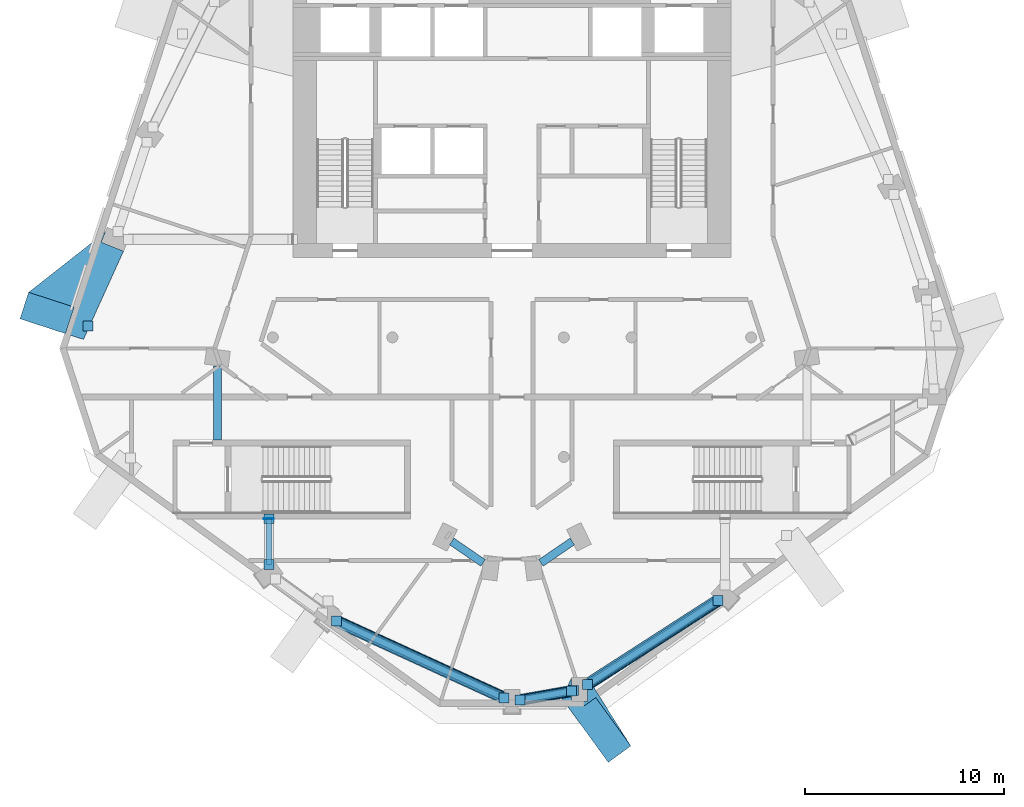
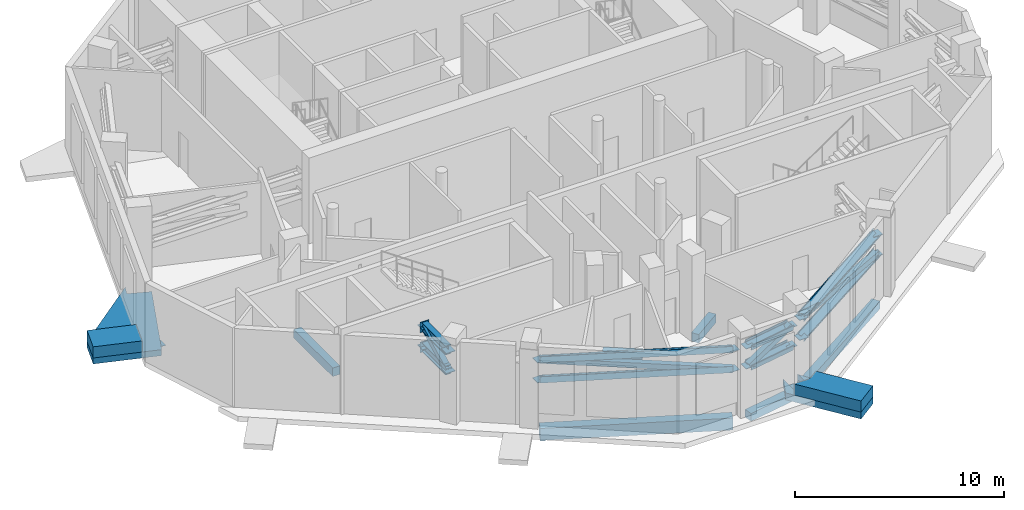
# One storey, part 2 of 15: 20 discrete accessories, 16 members, 6 beams.
"""IFC4 building model written with IfcOpenShell, lengths in metres."""

from ifc_helpers import new_model, si_unit, direction, frame, origin, origin_2d, place, context, subcontext, project, spatial, polyline, rectangle, hollow_rectangle, i_section, outline, extrude, material, layer, layer_set, material_profile, profile_set, type_object, element, aggregate, save


model = new_model("IFC4")

# Units and contexts
model_context = context("Model", 3, precision=1e-05, world=origin(), true_north=direction((0.0, 1.0)))
body_context = subcontext(model_context, "Body", "Model", "MODEL_VIEW")
ifc_project = project(units=[si_unit("LENGTHUNIT", "METRE"), si_unit("AREAUNIT", "SQUARE_METRE"), si_unit("VOLUMEUNIT", "CUBIC_METRE"), si_unit("PLANEANGLEUNIT", "RADIAN"), si_unit("MASSUNIT", "GRAM", prefix="KILO")], contexts=[model_context])

# Site, building, storey
site_placement = place(None, origin())
site = spatial("IfcSite", under=ifc_project, at=site_placement, CompositionType="ELEMENT")
building_placement = place(site_placement, origin())
building = spatial("IfcBuilding", under=site, at=building_placement, Name="White Candle Pilgrim Tower", CompositionType="ELEMENT")
storey_placement = place(building_placement, frame((0.0, 0.0, 295.10009765625)))
storey = spatial("IfcBuildingStorey", under=building, at=storey_placement, Name="L70", CompositionType="ELEMENT", Elevation=295.10009765625)

# Member
ifc_material_1 = material(Name="Steel S355", Category="steel")
ifc_material_profile_1 = material_profile(ifc_material_1, i_section(OverallWidth=0.305908203125, OverallDepth=0.52392578125, WebThickness=0.02099609375, FlangeThickness=0.0400390625, FilletRadius=0.027099609375, at=origin_2d()), Name="HEM 500")
ifc_profile_set_1 = profile_set([ifc_material_profile_1], Name="Steel S355")
member_type_1 = type_object("IfcMemberType", Name="Belt truss chord HEM 500 S355", PredefinedType="CHORD", material=ifc_profile_set_1)
member_1_placement = place(storey_placement, frame((61.186767578125, 52.767578125, 2.411865234375), z_axis=(0.90913101106, -0.416510269656, 0.0), x_axis=(0.173474167954, 0.378647916256, 0.909138311022)))
member_1 = element("IfcMember", 1, at=member_1_placement, inside=storey, type_object=member_type_1, Name="L70 belt truss bottom chord 02", PredefinedType="CHORD", context=body_context, shape_type="SweptSolid", body=[
    extrude(i_section(OverallWidth=0.305908203125, OverallDepth=0.52392578125, WebThickness=0.02099609375, FlangeThickness=0.0400390625, FilletRadius=0.027099609375, at=origin_2d()), origin(), (0.0, 0.0, 1.0), 9.254150390625),
])

member_2_placement = place(storey_placement, frame((61.186767578125, 52.767578125, 3.577880859375), z_axis=(0.90913101106, -0.416510269656, 0.0), x_axis=(0.173474167954, 0.378647916256, 0.909138311022)))
member_2 = element("IfcMember", 2, at=member_2_placement, inside=storey, type_object=member_type_1, Name="L70 belt truss top chord 02", PredefinedType="CHORD", context=body_context, shape_type="SweptSolid", body=[
    extrude(i_section(OverallWidth=0.305908203125, OverallDepth=0.52392578125, WebThickness=0.02099609375, FlangeThickness=0.0400390625, FilletRadius=0.027099609375, at=origin_2d()), origin(), (0.0, 0.0, 1.0), 9.254150390625),
])

member_3_placement = place(storey_placement, frame((70.39990234375, 48.80078125, 2.411865234375), z_axis=(0.984690914207, 0.174309504843, 0.0), x_axis=(0.030378628468, -0.171611751552, 0.984696169212)))
member_3 = element("IfcMember", 3, at=member_3_placement, inside=storey, type_object=member_type_1, Name="L70 belt truss bottom chord 03", PredefinedType="CHORD", context=body_context, shape_type="SweptSolid", body=[
    extrude(i_section(OverallWidth=0.305908203125, OverallDepth=0.52392578125, WebThickness=0.02099609375, FlangeThickness=0.0400390625, FilletRadius=0.027099609375, at=origin_2d()), origin(), (0.0, 0.0, 1.0), 2.63037109375),
])

member_4_placement = place(storey_placement, frame((70.39990234375, 48.80078125, 3.577880859375), z_axis=(0.984690914207, 0.174309504843, 0.0), x_axis=(0.030378628468, -0.171611751552, 0.984696169212)))
member_4 = element("IfcMember", 4, at=member_4_placement, inside=storey, type_object=member_type_1, Name="L70 belt truss top chord 03", PredefinedType="CHORD", context=body_context, shape_type="SweptSolid", body=[
    extrude(i_section(OverallWidth=0.305908203125, OverallDepth=0.52392578125, WebThickness=0.02099609375, FlangeThickness=0.0400390625, FilletRadius=0.027099609375, at=origin_2d()), origin(), (0.0, 0.0, 1.0), 2.63037109375),
])

member_5_placement = place(storey_placement, frame((73.7900390625, 49.58740234375, 2.411865234375), z_axis=(0.840792523654, 0.541357490175, 0.0), x_axis=(0.293060462739, -0.455157729451, 0.84080140729)))
member_5 = element("IfcMember", 5, at=member_5_placement, inside=storey, type_object=member_type_1, Name="L70 belt truss bottom chord 04", PredefinedType="CHORD", context=body_context, shape_type="SweptSolid", body=[
    extrude(i_section(OverallWidth=0.305908203125, OverallDepth=0.52392578125, WebThickness=0.02099609375, FlangeThickness=0.0400390625, FilletRadius=0.027099609375, at=origin_2d()), origin(), (0.0, 0.0, 1.0), 7.793701171875),
])

member_6_placement = place(storey_placement, frame((73.7900390625, 49.58740234375, 3.577880859375), z_axis=(0.840792523654, 0.541357490175, 0.0), x_axis=(0.293060462739, -0.455157729451, 0.84080140729)))
member_6 = element("IfcMember", 6, at=member_6_placement, inside=storey, type_object=member_type_1, Name="L70 belt truss top chord 04", PredefinedType="CHORD", context=body_context, shape_type="SweptSolid", body=[
    extrude(i_section(OverallWidth=0.305908203125, OverallDepth=0.52392578125, WebThickness=0.02099609375, FlangeThickness=0.0400390625, FilletRadius=0.027099609375, at=origin_2d()), origin(), (0.0, 0.0, 1.0), 7.793701171875),
])

member_7_placement = place(storey_placement, frame((57.800048828125, 55.61474609375, 2.411865234375), z_axis=(0.0, 1.0, 0.0), x_axis=(1.0, 0.0, 0.0)))
member_7 = element("IfcMember", 7, at=member_7_placement, inside=storey, type_object=member_type_1, Name="L70 belt truss bottom chord 15", PredefinedType="CHORD", context=body_context, shape_type="SweptSolid", body=[
    extrude(i_section(OverallWidth=0.305908203125, OverallDepth=0.52392578125, WebThickness=0.02099609375, FlangeThickness=0.0400390625, FilletRadius=0.027099609375, at=origin_2d()), origin(), (0.0, 0.0, 1.0), 2.28515625),
])

member_8_placement = place(storey_placement, frame((57.800048828125, 55.61474609375, 3.577880859375), z_axis=(0.0, 1.0, 0.0), x_axis=(1.0, 0.0, 0.0)))
member_8 = element("IfcMember", 8, at=member_8_placement, inside=storey, type_object=member_type_1, Name="L70 belt truss top chord 15", PredefinedType="CHORD", context=body_context, shape_type="SweptSolid", body=[
    extrude(i_section(OverallWidth=0.305908203125, OverallDepth=0.52392578125, WebThickness=0.02099609375, FlangeThickness=0.0400390625, FilletRadius=0.027099609375, at=origin_2d()), origin(), (0.0, 0.0, 1.0), 2.28515625),
])

# Members
ifc_material_profile_2 = material_profile(ifc_material_1, hollow_rectangle(XDim=0.300048828125, YDim=0.300048828125, WallThickness=0.01611328125, at=origin_2d()), Name="SHS 300x300x16")
ifc_profile_set_2 = profile_set([ifc_material_profile_2], Name="Steel S355")
member_type_2 = type_object("IfcMemberType", Name="Belt truss diagonal SHS 300x300x16 S355", PredefinedType="BRACE", material=ifc_profile_set_2)
member_9_placement = place(storey_placement, frame((61.186767578125, 52.767578125, 3.577880859375), z_axis=(0.901999384528, -0.413242978525, -0.125009403688), x_axis=(0.416510269656, 0.90913101106, 0.0)))
element("IfcMember", 9, at=member_9_placement, inside=storey, type_object=member_type_2, Name="L70 belt truss diagonal 02", PredefinedType="BRACE", context=body_context, shape_type="SweptSolid", body=[
    extrude(hollow_rectangle(XDim=0.300048828125, YDim=0.300048828125, WallThickness=0.01611328125, at=origin_2d()), origin(), (0.0, 0.0, 1.0), 9.327392578125),
])
member_10_placement = place(storey_placement, frame((70.39990234375, 48.80078125, 2.411865234375), z_axis=(0.900206572863, 0.159354127989, 0.40525842134), x_axis=(-0.174309504843, 0.984690914207, 0.0)))
element("IfcMember", 10, at=member_10_placement, inside=storey, type_object=member_type_2, Name="L70 belt truss diagonal 03", PredefinedType="BRACE", context=body_context, shape_type="SweptSolid", body=[
    extrude(hollow_rectangle(XDim=0.300048828125, YDim=0.300048828125, WallThickness=0.01611328125, at=origin_2d()), origin(), (0.0, 0.0, 1.0), 2.877197265625),
])
member_11_placement = place(storey_placement, frame((73.7900390625, 49.58740234375, 3.577880859375), z_axis=(0.831538063936, 0.535398860733, -0.147961171095), x_axis=(-0.541357490175, 0.840792523654, 0.0)))
element("IfcMember", 11, at=member_11_placement, inside=storey, type_object=member_type_2, Name="L70 belt truss diagonal 04", PredefinedType="BRACE", context=body_context, shape_type="SweptSolid", body=[
    extrude(hollow_rectangle(XDim=0.300048828125, YDim=0.300048828125, WallThickness=0.01611328125, at=origin_2d()), origin(), (0.0, 0.0, 1.0), 7.880615234375),
])
member_12_placement = place(storey_placement, frame((57.800048828125, 55.61474609375, 2.411865234375), z_axis=(0.0, 0.890742999505, 0.454507325389), x_axis=(-1.0, 0.0, 0.0)))
element("IfcMember", 12, at=member_12_placement, inside=storey, type_object=member_type_2, Name="L70 belt truss diagonal 15", PredefinedType="BRACE", context=body_context, shape_type="SweptSolid", body=[
    extrude(hollow_rectangle(XDim=0.300048828125, YDim=0.300048828125, WallThickness=0.01611328125, at=origin_2d()), origin(), (0.0, 0.0, 1.0), 2.5654296875),
])

# Member
ifc_material_2 = material(Name="Concrete C70/85, white", Category="concrete")
ifc_layer_1 = layer(ifc_material_2, 0.300048828125)
ifc_layer_set_1 = layer_set([ifc_layer_1], Name="Node tie strut 3350x1400x300 C70/85")
member_type_3 = type_object("IfcMemberType", Name="Node tie strut 3350x1400x300 C70/85", PredefinedType="STRUT", material=ifc_layer_set_1)
member_13_placement = place(storey_placement, frame((0.0, 0.0, -0.35009765625)))
member_13 = element("IfcMember", 13, at=member_13_placement, inside=storey, type_object=member_type_3, Name="Node tie strut NC248", PredefinedType="STRUT", context=body_context, shape_type="SweptSolid", body=[
    extrude(outline(polyline([(48.5009765625, 66.895263671875), (50.509521484375, 71.326416015625), (49.39453125, 71.770263671875), (49.598388671875, 72.282470703125), (45.74755859375, 69.26171875), (45.31494140625, 67.930419921875), (48.5009765625, 66.895263671875)])), origin(), (0.0, 0.0, 1.0), 0.35009765625),
])

member_14_placement = place(storey_placement, origin())
element("IfcMember", 14, at=member_14_placement, inside=storey, type_object=member_type_3, Name="Node tie strut NC248", PredefinedType="STRUT", context=body_context, shape_type="SweptSolid", body=[
    extrude(outline(polyline([(47.597412109375, 67.188720703125), (48.0302734375, 68.520263671875), (45.74755859375, 69.26171875), (45.31494140625, 67.930419921875), (47.597412109375, 67.188720703125)])), origin(), (0.0, 0.0, 1.0), 0.64990234375),
])

ifc_layer_2 = layer(ifc_material_2, 0.300048828125)
ifc_layer_set_2 = layer_set([ifc_layer_2], Name="Node tie strut 3950x1400x300 C70/85")
member_type_4 = type_object("IfcMemberType", Name="Node tie strut 3950x1400x300 C70/85", PredefinedType="STRUT", material=ifc_layer_set_2)
member_15_placement = place(storey_placement, frame((0.0, 0.0, -0.400146484375)))
member_15 = element("IfcMember", 15, at=member_15_placement, inside=storey, type_object=member_type_4, Name="Node tie strut NC243", PredefinedType="STRUT", context=body_context, shape_type="SweptSolid", body=[
    extrude(outline(polyline([(74.830078125, 45.67822265625), (75.962890625, 46.501220703125), (73.7900390625, 49.929931640625), (73.7900390625, 48.72998046875), (72.989990234375, 48.72998046875), (72.989990234375, 49.929931640625), (72.50830078125, 48.873779296875), (74.830078125, 45.67822265625)])), origin(), (0.0, 0.0, 1.0), 0.400146484375),
])

member_16_placement = place(storey_placement, origin())
element("IfcMember", 16, at=member_16_placement, inside=storey, type_object=member_type_4, Name="Node tie strut NC243", PredefinedType="STRUT", context=body_context, shape_type="SweptSolid", body=[
    extrude(outline(polyline([(74.830078125, 45.67822265625), (75.962890625, 46.501220703125), (74.199462890625, 48.92822265625), (73.646240234375, 48.5263671875), (72.760986328125, 48.5263671875), (74.830078125, 45.67822265625)])), origin(), (0.0, 0.0, 1.0), 0.64990234375),
])

# Beams
ifc_material_3 = material(Name="Concrete C50/60", Category="concrete")
ifc_material_profile_3 = material_profile(ifc_material_3, rectangle(XDim=0.39990234375, YDim=0.5, at=origin_2d()), Name="RC-BM 400x500")
ifc_profile_set_3 = profile_set([ifc_material_profile_3], Name="Concrete C50/60")
beam_type_1 = type_object("IfcBeamType", Name="Ring beam RC-BM 400x500 C50/60", PredefinedType="BEAM", material=ifc_profile_set_3)
for number, where, z_axis, x_axis, name in (
    (17, (66.97412109375, 56.761474609375, -0.550048828125), (0.825257044892, -0.564757301729, 0.0), (0.564757301729, 0.825257044892, 0.0), "L70 ring beam R01"),
    (18, (71.451171875, 55.683837890625, -0.550048828125), (0.825257044892, 0.564757301729, 0.0), (-0.564757301729, 0.825257044892, 0.0), "L70 ring beam R02"),
):
    element("IfcBeam", number, at=place(storey_placement, frame(where, z_axis=z_axis, x_axis=x_axis)), inside=storey, type_object=beam_type_1, Name=name, PredefinedType="BEAM", context=body_context, shape_type="SweptSolid", body=[
        extrude(rectangle(XDim=0.39990234375, YDim=0.5, at=origin_2d()), origin(), (0.0, 0.0, 1.0), 1.908203125),
    ])
beam_1_placement = place(storey_placement, frame((55.219970703125, 65.576416015625, -0.550048828125), z_axis=(0.0, -1.0, 0.0), x_axis=(1.0, 0.0, 0.0)))
element("IfcBeam", 19, at=beam_1_placement, inside=storey, type_object=beam_type_1, Name="L70 ring beam R04", PredefinedType="BEAM", context=body_context, shape_type="SweptSolid", body=[
    extrude(rectangle(XDim=0.39990234375, YDim=0.5, at=origin_2d()), origin(), (0.0, 0.0, 1.0), 3.726318359375),
])
ifc_material_profile_4 = material_profile(ifc_material_3, rectangle(XDim=0.449951171875, YDim=0.449951171875, at=origin_2d()), Name="RC-BM 450x450")
ifc_profile_set_4 = profile_set([ifc_material_profile_4], Name="Concrete C50/60")
beam_type_2 = type_object("IfcBeamType", Name="Spandrel beam RC-BM 450x450 C50/60", PredefinedType="BEAM", material=ifc_profile_set_4)
beam_2_placement = place(storey_placement, frame((70.39990234375, 48.80078125, -0.525146484375), z_axis=(0.984690914207, 0.174309504843, 0.0), x_axis=(-0.174309504843, 0.984690914207, 0.0)))
element("IfcBeam", 20, at=beam_2_placement, inside=storey, type_object=beam_type_2, Name="L70 spandrel beam T03", PredefinedType="BEAM", context=body_context, shape_type="SweptSolid", body=[
    extrude(rectangle(XDim=0.449951171875, YDim=0.449951171875, at=origin_2d()), origin(), (0.0, 0.0, 1.0), 2.63037109375),
])
beam_3_placement = place(storey_placement, frame((73.7900390625, 49.58740234375, -0.525146484375), z_axis=(0.840792523654, 0.541357490175, 0.0), x_axis=(-0.541357490175, 0.840792523654, 0.0)))
element("IfcBeam", 21, at=beam_3_placement, inside=storey, type_object=beam_type_2, Name="L70 spandrel beam T04", PredefinedType="BEAM", context=body_context, shape_type="SweptSolid", body=[
    extrude(rectangle(XDim=0.449951171875, YDim=0.449951171875, at=origin_2d()), origin(), (0.0, 0.0, 1.0), 7.793701171875),
])
ifc_material_profile_5 = material_profile(ifc_material_3, rectangle(XDim=0.5, YDim=0.699951171875, at=origin_2d()), Name="RC-BM 500x700")
ifc_profile_set_5 = profile_set([ifc_material_profile_5], Name="Concrete C50/60")
beam_type_3 = type_object("IfcBeamType", Name="Spandrel beam RC-BM 500x700 C50/60", PredefinedType="BEAM", material=ifc_profile_set_5)
beam_4_placement = place(storey_placement, frame((61.186767578125, 52.767578125, -0.650146484375), z_axis=(0.90913101106, -0.416510269656, 0.0), x_axis=(0.416510269656, 0.90913101106, 0.0)))
element("IfcBeam", 22, at=beam_4_placement, inside=storey, type_object=beam_type_3, Name="L70 spandrel beam T02", PredefinedType="BEAM", context=body_context, shape_type="SweptSolid", body=[
    extrude(rectangle(XDim=0.5, YDim=0.699951171875, at=origin_2d()), origin(), (0.0, 0.0, 1.0), 9.254150390625),
])

# Discrete accessory
ifc_layer_3 = layer(ifc_material_1, 0.030029296875)
ifc_layer_set_3 = layer_set([ifc_layer_3], Name="Cast-in plate 500x600x30 S355")
discrete_accessory_type_1 = type_object("IfcDiscreteAccessoryType", Name="Cast-in plate 500x600x30 S355", PredefinedType="ANCHORPLATE", material=ifc_layer_set_3)
discrete_accessory_1_placement = place(storey_placement, frame((57.800048828125, 57.89990234375, 2.11181640625), z_axis=(0.0, 0.0, 1.0), x_axis=(0.0, -1.0, 0.0)))
discrete_accessory_1 = element("IfcDiscreteAccessory", 23, at=discrete_accessory_1_placement, type_object=discrete_accessory_type_1, Name="Cast-in plate 0043", PredefinedType="ANCHORPLATE", context=body_context, shape_type="SweptSolid", body=[
    extrude(rectangle(XDim=0.030029296875, YDim=0.5, at=origin_2d()), origin(), (0.0, 0.0, 1.0), 0.60009765625),
])

discrete_accessory_2_placement = place(storey_placement, frame((57.800048828125, 57.89990234375, 3.27783203125), z_axis=(0.0, 0.0, 1.0), x_axis=(0.0, -1.0, 0.0)))
discrete_accessory_2 = element("IfcDiscreteAccessory", 24, at=discrete_accessory_2_placement, type_object=discrete_accessory_type_1, Name="Cast-in plate 0044", PredefinedType="ANCHORPLATE", context=body_context, shape_type="SweptSolid", body=[
    extrude(rectangle(XDim=0.030029296875, YDim=0.5, at=origin_2d()), origin(), (0.0, 0.0, 1.0), 0.60009765625),
])

ifc_layer_4 = layer(ifc_material_1, 0.02490234375)
ifc_layer_set_4 = layer_set([ifc_layer_4], Name="Gusset plate 500x500x25 S355")
discrete_accessory_type_2 = type_object("IfcDiscreteAccessoryType", Name="Gusset plate 500x500x25 S355", PredefinedType="BRACKET", material=ifc_layer_set_4)
discrete_accessory_3_placement = place(storey_placement, frame((73.07470703125, 49.285400390625, -0.16259765625), z_axis=(0.0, 0.0, 1.0), x_axis=(1.0, 0.0, 0.0)))
discrete_accessory_3 = element("IfcDiscreteAccessory", 25, at=discrete_accessory_3_placement, type_object=discrete_accessory_type_2, Name="Gusset plate 0624", PredefinedType="BRACKET", context=body_context, shape_type="SweptSolid", body=[
    extrude(rectangle(XDim=0.5, YDim=0.5, at=origin_2d()), origin(), (0.0, 0.0, 1.0), 0.02490234375),
])

aggregate(member_15, [discrete_accessory_3])

discrete_accessory_4_placement = place(storey_placement, frame((48.71728515625, 67.560791015625, -0.16259765625), z_axis=(0.0, 0.0, 1.0), x_axis=(1.0, 0.0, 0.0)))
discrete_accessory_4 = element("IfcDiscreteAccessory", 26, at=discrete_accessory_4_placement, type_object=discrete_accessory_type_2, Name="Gusset plate 0629", PredefinedType="BRACKET", context=body_context, shape_type="SweptSolid", body=[
    extrude(rectangle(XDim=0.5, YDim=0.5, at=origin_2d()), origin(), (0.0, 0.0, 1.0), 0.02490234375),
])

aggregate(member_13, [discrete_accessory_4])

discrete_accessory_5_placement = place(storey_placement, frame((61.186767578125, 52.767578125, 2.3994140625), z_axis=(0.0, 0.0, 1.0), x_axis=(1.0, 0.0, 0.0)))
discrete_accessory_5 = element("IfcDiscreteAccessory", 27, at=discrete_accessory_5_placement, type_object=discrete_accessory_type_2, Name="Gusset plate 0902", PredefinedType="BRACKET", context=body_context, shape_type="SweptSolid", body=[
    extrude(rectangle(XDim=0.5, YDim=0.5, at=origin_2d()), origin(), (0.0, 0.0, 1.0), 0.02490234375),
])

discrete_accessory_6_placement = place(storey_placement, frame((69.60009765625, 48.9130859375, 2.3994140625), z_axis=(0.0, 0.0, 1.0), x_axis=(1.0, 0.0, 0.0)))
discrete_accessory_6 = element("IfcDiscreteAccessory", 28, at=discrete_accessory_6_placement, type_object=discrete_accessory_type_2, Name="Gusset plate 0903", PredefinedType="BRACKET", context=body_context, shape_type="SweptSolid", body=[
    extrude(rectangle(XDim=0.5, YDim=0.5, at=origin_2d()), origin(), (0.0, 0.0, 1.0), 0.02490234375),
])

aggregate(member_1, [discrete_accessory_5, discrete_accessory_6])

discrete_accessory_7_placement = place(storey_placement, frame((61.186767578125, 52.767578125, 3.5654296875), z_axis=(0.0, 0.0, 1.0), x_axis=(1.0, 0.0, 0.0)))
discrete_accessory_7 = element("IfcDiscreteAccessory", 29, at=discrete_accessory_7_placement, type_object=discrete_accessory_type_2, Name="Gusset plate 0904", PredefinedType="BRACKET", context=body_context, shape_type="SweptSolid", body=[
    extrude(rectangle(XDim=0.5, YDim=0.5, at=origin_2d()), origin(), (0.0, 0.0, 1.0), 0.02490234375),
])

discrete_accessory_8_placement = place(storey_placement, frame((69.60009765625, 48.9130859375, 3.5654296875), z_axis=(0.0, 0.0, 1.0), x_axis=(1.0, 0.0, 0.0)))
discrete_accessory_8 = element("IfcDiscreteAccessory", 30, at=discrete_accessory_8_placement, type_object=discrete_accessory_type_2, Name="Gusset plate 0905", PredefinedType="BRACKET", context=body_context, shape_type="SweptSolid", body=[
    extrude(rectangle(XDim=0.5, YDim=0.5, at=origin_2d()), origin(), (0.0, 0.0, 1.0), 0.02490234375),
])

aggregate(member_2, [discrete_accessory_7, discrete_accessory_8])

discrete_accessory_9_placement = place(storey_placement, frame((70.39990234375, 48.80078125, 2.3994140625), z_axis=(0.0, 0.0, 1.0), x_axis=(1.0, 0.0, 0.0)))
discrete_accessory_9 = element("IfcDiscreteAccessory", 31, at=discrete_accessory_9_placement, type_object=discrete_accessory_type_2, Name="Gusset plate 0906", PredefinedType="BRACKET", context=body_context, shape_type="SweptSolid", body=[
    extrude(rectangle(XDim=0.5, YDim=0.5, at=origin_2d()), origin(), (0.0, 0.0, 1.0), 0.02490234375),
])

discrete_accessory_10_placement = place(storey_placement, frame((72.989990234375, 49.25927734375, 2.3994140625), z_axis=(0.0, 0.0, 1.0), x_axis=(1.0, 0.0, 0.0)))
discrete_accessory_10 = element("IfcDiscreteAccessory", 32, at=discrete_accessory_10_placement, type_object=discrete_accessory_type_2, Name="Gusset plate 0907", PredefinedType="BRACKET", context=body_context, shape_type="SweptSolid", body=[
    extrude(rectangle(XDim=0.5, YDim=0.5, at=origin_2d()), origin(), (0.0, 0.0, 1.0), 0.02490234375),
])

aggregate(member_3, [discrete_accessory_9, discrete_accessory_10])

discrete_accessory_11_placement = place(storey_placement, frame((70.39990234375, 48.80078125, 3.5654296875), z_axis=(0.0, 0.0, 1.0), x_axis=(1.0, 0.0, 0.0)))
discrete_accessory_11 = element("IfcDiscreteAccessory", 33, at=discrete_accessory_11_placement, type_object=discrete_accessory_type_2, Name="Gusset plate 0908", PredefinedType="BRACKET", context=body_context, shape_type="SweptSolid", body=[
    extrude(rectangle(XDim=0.5, YDim=0.5, at=origin_2d()), origin(), (0.0, 0.0, 1.0), 0.02490234375),
])

discrete_accessory_12_placement = place(storey_placement, frame((72.989990234375, 49.25927734375, 3.5654296875), z_axis=(0.0, 0.0, 1.0), x_axis=(1.0, 0.0, 0.0)))
discrete_accessory_12 = element("IfcDiscreteAccessory", 34, at=discrete_accessory_12_placement, type_object=discrete_accessory_type_2, Name="Gusset plate 0909", PredefinedType="BRACKET", context=body_context, shape_type="SweptSolid", body=[
    extrude(rectangle(XDim=0.5, YDim=0.5, at=origin_2d()), origin(), (0.0, 0.0, 1.0), 0.02490234375),
])

aggregate(member_4, [discrete_accessory_11, discrete_accessory_12])

discrete_accessory_13_placement = place(storey_placement, frame((73.7900390625, 49.58740234375, 2.3994140625), z_axis=(0.0, 0.0, 1.0), x_axis=(1.0, 0.0, 0.0)))
discrete_accessory_13 = element("IfcDiscreteAccessory", 35, at=discrete_accessory_13_placement, type_object=discrete_accessory_type_2, Name="Gusset plate 0910", PredefinedType="BRACKET", context=body_context, shape_type="SweptSolid", body=[
    extrude(rectangle(XDim=0.5, YDim=0.5, at=origin_2d()), origin(), (0.0, 0.0, 1.0), 0.02490234375),
])

discrete_accessory_14_placement = place(storey_placement, frame((80.343017578125, 53.806640625, 2.3994140625), z_axis=(0.0, 0.0, 1.0), x_axis=(1.0, 0.0, 0.0)))
discrete_accessory_14 = element("IfcDiscreteAccessory", 36, at=discrete_accessory_14_placement, type_object=discrete_accessory_type_2, Name="Gusset plate 0911", PredefinedType="BRACKET", context=body_context, shape_type="SweptSolid", body=[
    extrude(rectangle(XDim=0.5, YDim=0.5, at=origin_2d()), origin(), (0.0, 0.0, 1.0), 0.02490234375),
])

aggregate(member_5, [discrete_accessory_13, discrete_accessory_14])

discrete_accessory_15_placement = place(storey_placement, frame((73.7900390625, 49.58740234375, 3.5654296875), z_axis=(0.0, 0.0, 1.0), x_axis=(1.0, 0.0, 0.0)))
discrete_accessory_15 = element("IfcDiscreteAccessory", 37, at=discrete_accessory_15_placement, type_object=discrete_accessory_type_2, Name="Gusset plate 0912", PredefinedType="BRACKET", context=body_context, shape_type="SweptSolid", body=[
    extrude(rectangle(XDim=0.5, YDim=0.5, at=origin_2d()), origin(), (0.0, 0.0, 1.0), 0.02490234375),
])

discrete_accessory_16_placement = place(storey_placement, frame((80.343017578125, 53.806640625, 3.5654296875), z_axis=(0.0, 0.0, 1.0), x_axis=(1.0, 0.0, 0.0)))
discrete_accessory_16 = element("IfcDiscreteAccessory", 38, at=discrete_accessory_16_placement, type_object=discrete_accessory_type_2, Name="Gusset plate 0913", PredefinedType="BRACKET", context=body_context, shape_type="SweptSolid", body=[
    extrude(rectangle(XDim=0.5, YDim=0.5, at=origin_2d()), origin(), (0.0, 0.0, 1.0), 0.02490234375),
])

aggregate(member_6, [discrete_accessory_15, discrete_accessory_16])

discrete_accessory_17_placement = place(storey_placement, frame((57.800048828125, 55.61474609375, 2.3994140625), z_axis=(0.0, 0.0, 1.0), x_axis=(1.0, 0.0, 0.0)))
discrete_accessory_17 = element("IfcDiscreteAccessory", 39, at=discrete_accessory_17_placement, type_object=discrete_accessory_type_2, Name="Gusset plate 0954", PredefinedType="BRACKET", context=body_context, shape_type="SweptSolid", body=[
    extrude(rectangle(XDim=0.5, YDim=0.5, at=origin_2d()), origin(), (0.0, 0.0, 1.0), 0.02490234375),
])

discrete_accessory_18_placement = place(storey_placement, frame((57.800048828125, 57.89990234375, 2.3994140625), z_axis=(0.0, 0.0, 1.0), x_axis=(1.0, 0.0, 0.0)))
discrete_accessory_18 = element("IfcDiscreteAccessory", 40, at=discrete_accessory_18_placement, type_object=discrete_accessory_type_2, Name="Gusset plate 0955", PredefinedType="BRACKET", context=body_context, shape_type="SweptSolid", body=[
    extrude(rectangle(XDim=0.5, YDim=0.5, at=origin_2d()), origin(), (0.0, 0.0, 1.0), 0.02490234375),
])

aggregate(member_7, [discrete_accessory_17, discrete_accessory_18, discrete_accessory_1])

discrete_accessory_19_placement = place(storey_placement, frame((57.800048828125, 55.61474609375, 3.5654296875), z_axis=(0.0, 0.0, 1.0), x_axis=(1.0, 0.0, 0.0)))
discrete_accessory_19 = element("IfcDiscreteAccessory", 41, at=discrete_accessory_19_placement, type_object=discrete_accessory_type_2, Name="Gusset plate 0956", PredefinedType="BRACKET", context=body_context, shape_type="SweptSolid", body=[
    extrude(rectangle(XDim=0.5, YDim=0.5, at=origin_2d()), origin(), (0.0, 0.0, 1.0), 0.02490234375),
])

discrete_accessory_20_placement = place(storey_placement, frame((57.800048828125, 57.89990234375, 3.5654296875), z_axis=(0.0, 0.0, 1.0), x_axis=(1.0, 0.0, 0.0)))
discrete_accessory_20 = element("IfcDiscreteAccessory", 42, at=discrete_accessory_20_placement, type_object=discrete_accessory_type_2, Name="Gusset plate 0957", PredefinedType="BRACKET", context=body_context, shape_type="SweptSolid", body=[
    extrude(rectangle(XDim=0.5, YDim=0.5, at=origin_2d()), origin(), (0.0, 0.0, 1.0), 0.02490234375),
])

aggregate(member_8, [discrete_accessory_19, discrete_accessory_20, discrete_accessory_2])

save(model, "model.ifc")
